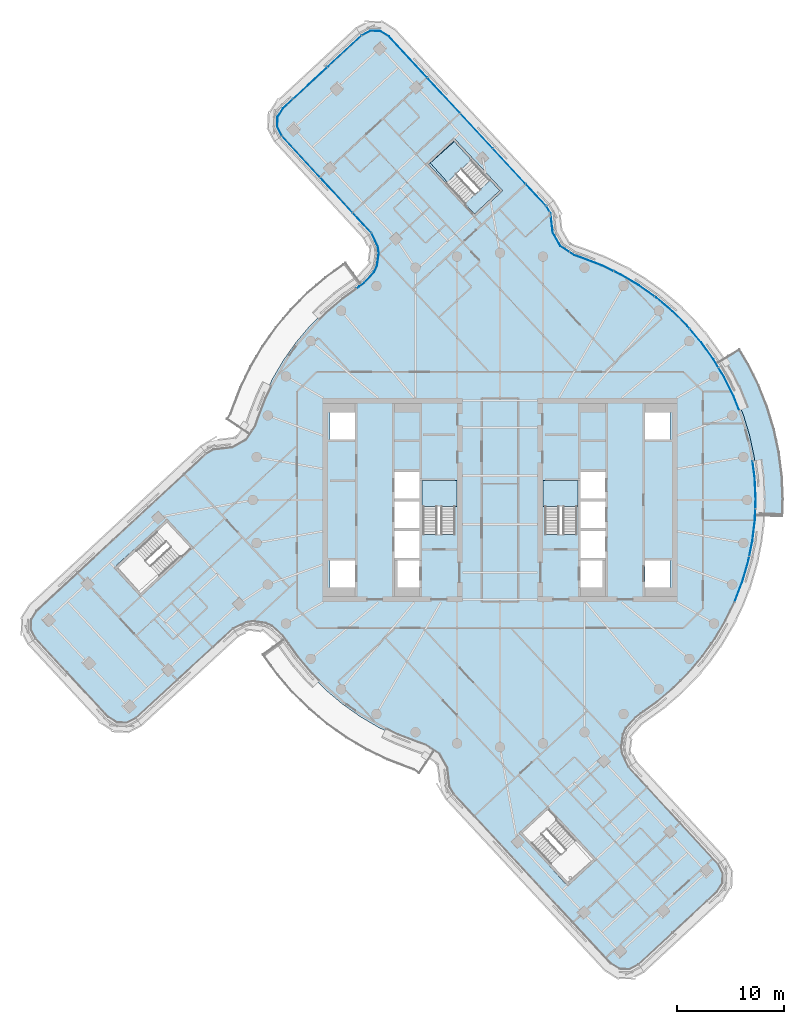
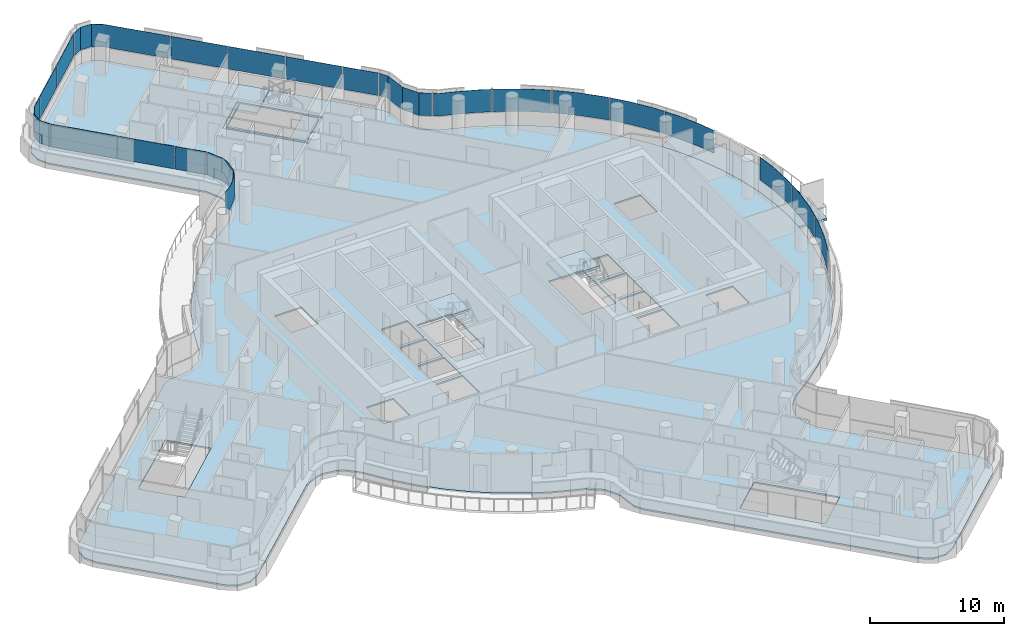
# One storey, part 19 of 34: 21 plates, 6 slabs, 8 elements without a shape of their own.
"""IFC4 building model written with IfcOpenShell, lengths in metres."""

from ifc_helpers import new_model, si_unit, direction, frame, origin, place, context, subcontext, project, spatial, polyline, outline, extrude, material, layer, layer_set, type_object, element, aggregate, save


model = new_model("IFC4")

# Units and contexts
model_context = context("Model", 3, precision=1e-05, world=origin(), true_north=direction((0.0, 1.0)))
body_context = subcontext(model_context, "Body", "Model", "MODEL_VIEW")
ifc_project = project(units=[si_unit("LENGTHUNIT", "METRE"), si_unit("AREAUNIT", "SQUARE_METRE"), si_unit("VOLUMEUNIT", "CUBIC_METRE"), si_unit("PLANEANGLEUNIT", "RADIAN"), si_unit("MASSUNIT", "GRAM", prefix="KILO")], contexts=[model_context])

# Site, building, storey
site_placement = place(None, origin())
site = spatial("IfcSite", under=ifc_project, at=site_placement, CompositionType="ELEMENT")
building_placement = place(site_placement, origin())
building = spatial("IfcBuilding", under=site, at=building_placement, Name="Tamarind Cross Interchange Tower", CompositionType="ELEMENT")
storey_placement = place(building_placement, frame((0.0, 0.0, 189.699951171875)))
storey = spatial("IfcBuildingStorey", under=building, at=storey_placement, Name="L47", CompositionType="ELEMENT", Elevation=189.699951171875)

# Slabs
ifc_material_1 = material(Name="Precast concrete C40", Category="concrete")
ifc_layer_1 = layer(ifc_material_1, 0.199951171875)
ifc_layer_set_1 = layer_set([ifc_layer_1], Name="Precast concrete C40")
slab_type_1 = type_object("IfcSlabType", Name="Balcony slab", PredefinedType="BASESLAB", material=ifc_layer_set_1)
slab_1_placement = place(storey_placement, frame((0.0, 0.0, -0.199951171875)))
element("IfcSlab", 1, at=slab_1_placement, inside=storey, type_object=slab_type_1, Name="SLB-L47-BAL02", PredefinedType="BASESLAB", context=body_context, shape_type="SweptSolid", body=[
    extrude(outline(polyline([(23.939208984375, -1.41943359375), (23.995849609375, 0.103271484375), (23.9052734375, 2.08447265625), (23.6513671875, 4.051513671875), (23.236083984375, 5.99072265625), (22.662109375, 7.88916015625), (21.93310546875, 9.733642578125), (21.054443359375, 11.511474609375), (20.284912109375, 12.79052734375), (22.34130859375, 14.028076171875), (23.162109375, 12.663818359375), (24.128662109375, 10.7080078125), (24.9306640625, 8.6787109375), (25.56201171875, 6.59033203125), (26.01904296875, 4.45703125), (26.298095703125, 2.293212890625), (26.397705078125, 0.113525390625), (26.337646484375, -1.50830078125), (23.939208984375, -1.41943359375)])), origin(), (0.0, 0.0, 1.0), 0.199951171875),
])
ifc_material_2 = material(Name="Concrete C35", Category="concrete")
ifc_layer_2 = layer(ifc_material_2, 0.139892578125)
ifc_layer_set_2 = layer_set([ifc_layer_2], Name="Concrete C35")
slab_type_2 = type_object("IfcSlabType", Name="Composite slab 140 Concrete C35", PredefinedType="FLOOR", material=ifc_layer_set_2)
slab_2_placement = place(storey_placement, frame((0.0, 0.0, -0.139892578125)))
element("IfcSlab", 2, at=slab_2_placement, inside=storey, type_object=slab_type_2, Name="Floor slab L47", PredefinedType="FLOOR", context=body_context, shape_type="SweptSolid", body=[
    extrude(outline(polyline([(-4.900390625, -26.74951171875), (-4.470703125, -27.4736328125), (10.18603515625, -43.28125), (11.0625, -43.832275390625), (12.096923828125, -43.871337890625), (13.012451171875, -43.387939453125), (20.345458984375, -36.5888671875), (20.896484375, -35.71240234375), (20.935546875, -34.677978515625), (20.4521484375, -33.762451171875), (12.136962890625, -24.73046875), (11.5673828125, -23.5537109375), (11.479736328125, -22.988525390625), (11.644287109375, -21.843505859375), (11.887939453125, -21.325927734375), (12.76611328125, -20.357421875), (13.2109375, -20.031982421875), (14.820068359375, -18.87255859375), (16.327880859375, -17.584228515625), (17.72412109375, -16.17578125), (18.99951171875, -14.656982421875), (20.14501953125, -13.0380859375), (21.15283203125, -11.329833984375), (22.01611328125, -9.54443359375), (22.72900390625, -7.693603515625), (23.286865234375, -5.79052734375), (23.685546875, -3.84765625), (23.92236328125, -1.878662109375), (23.99560546875, 0.103271484375), (23.9052734375, 2.08447265625), (23.651611328125, 4.051513671875), (23.236083984375, 5.99072265625), (22.662109375, 7.88916015625), (21.93310546875, 9.7333984375), (21.054443359375, 11.511474609375), (20.031982421875, 13.2109375), (18.87255859375, 14.820068359375), (17.584228515625, 16.327880859375), (16.17578125, 17.72412109375), (14.656982421875, 18.99951171875), (13.0380859375, 20.14501953125), (11.329833984375, 21.15283203125), (9.54443359375, 22.01611328125), (7.693603515625, 22.72900390625), (6.9873046875, 22.966796875), (5.76953125, 23.7822265625), (5.105712890625, 24.95751953125), (4.994140625, 25.912841796875), (4.900390625, 26.74951171875), (4.470703125, 27.4736328125), (-10.18603515625, 43.28125), (-11.0625, 43.832275390625), (-12.096923828125, 43.871337890625), (-13.012451171875, 43.387939453125), (-20.345458984375, 36.5888671875), (-20.896484375, 35.71240234375), (-20.935546875, 34.677978515625), (-20.4521484375, 33.762451171875), (-12.136962890625, 24.73046875), (-11.5673828125, 23.5537109375), (-11.479736328125, 22.988525390625), (-11.644287109375, 21.843505859375), (-11.887939453125, 21.325927734375), (-12.76611328125, 20.357421875), (-13.2109375, 20.031982421875), (-14.820068359375, 18.87255859375), (-16.327880859375, 17.584228515625), (-17.72412109375, 16.17578125), (-18.99951171875, 14.656982421875), (-20.14501953125, 13.0380859375), (-21.15283203125, 11.329833984375), (-22.01611328125, 9.54443359375), (-22.72900390625, 7.693603515625), (-22.966796875, 6.9873046875), (-23.7822265625, 5.76953125), (-24.95751953125, 5.105712890625), (-25.912841796875, 4.994140625), (-26.74951171875, 4.900390625), (-27.4736328125, 4.470703125), (-43.28125, -10.18603515625), (-43.832275390625, -11.0625), (-43.871337890625, -12.096923828125), (-43.387939453125, -13.012451171875), (-36.5888671875, -20.345458984375), (-35.71240234375, -20.896484375), (-34.677978515625, -20.935546875), (-33.762451171875, -20.4521484375), (-24.73046875, -12.136962890625), (-23.5537109375, -11.5673828125), (-22.988525390625, -11.479736328125), (-21.843505859375, -11.644287109375), (-21.325927734375, -11.887939453125), (-20.357421875, -12.76611328125), (-20.031982421875, -13.2109375), (-18.87255859375, -14.820068359375), (-17.584228515625, -16.327880859375), (-16.17578125, -17.72412109375), (-14.656982421875, -18.99951171875), (-13.0380859375, -20.14501953125), (-11.329833984375, -21.15283203125), (-9.54443359375, -22.01611328125), (-7.693603515625, -22.72900390625), (-6.9873046875, -22.966796875), (-5.76953125, -23.7822265625), (-5.105712890625, -24.95751953125), (-4.994140625, -25.912841796875), (-4.900390625, -26.74951171875)]), holes=[polyline([(-33.448486328125, -8.978759765625), (-33.584716796875, -8.83203125), (-35.760498046875, -6.485595703125), (-35.896240234375, -6.3388671875), (-35.687255859375, -6.14501953125), (-35.727294921875, -6.100341796875), (-33.2744140625, -3.907958984375), (-30.9833984375, -1.783447265625), (-30.847412109375, -1.93017578125), (-28.671630859375, -4.276611328125), (-28.53564453125, -4.42333984375), (-33.448486328125, -8.978759765625)]), polyline([(-13.5, -8.125), (-15.800048828125, -8.125), (-15.800048828125, -5.625), (-13.5, -5.625), (-13.5, -8.125)]), polyline([(-7.5, -8.125), (-9.800048828125, -8.125), (-9.800048828125, -5.625), (-7.5, -5.625), (-7.5, -8.125)]), polyline([(-7.5, -5.375), (-9.800048828125, -5.375), (-9.800048828125, -2.875), (-7.5, -2.875), (-7.5, -5.375)]), polyline([(-7.5, -2.625), (-9.800048828125, -2.625), (-9.800048828125, -0.125), (-7.5, -0.125), (-7.5, -2.625)]), polyline([(-4.199951171875, 1.800048828125), (-4.199951171875, -3.18798828125), (-7.14990234375, -3.18798828125), (-7.14990234375, 1.800048828125), (-4.199951171875, 1.800048828125)]), polyline([(-7.5, 0.125), (-9.800048828125, 0.125), (-9.800048828125, 2.625), (-7.5, 2.625), (-7.5, 0.125)]), polyline([(-13.5, 5.625), (-15.800048828125, 5.625), (-15.800048828125, 8.125), (-13.5, 8.125), (-13.5, 5.625)]), polyline([(-6.93896484375, 31.248779296875), (-6.79248046875, 31.384765625), (-4.44580078125, 33.560546875), (-4.29931640625, 33.696533203125), (-4.10498046875, 33.487060546875), (-4.10107421875, 33.490478515625), (-3.907958984375, 33.2744140625), (0.256103515625, 28.783447265625), (0.109619140625, 28.6474609375), (-2.237060546875, 26.4716796875), (-2.383544921875, 26.335693359375), (-6.93896484375, 31.248779296875)]), polyline([(1.783447265625, -30.9833984375), (1.93017578125, -30.847412109375), (4.276611328125, -28.671630859375), (4.42333984375, -28.53564453125), (8.978759765625, -33.448486328125), (8.83203125, -33.584716796875), (6.485595703125, -35.760498046875), (6.3388671875, -35.896240234375), (6.14501953125, -35.687255859375), (6.100341796875, -35.727294921875), (3.907958984375, -33.2744140625), (1.783447265625, -30.9833984375)]), polyline([(7.5, -5.625), (9.800048828125, -5.625), (9.800048828125, -8.125), (7.5, -8.125), (7.5, -5.625)]), polyline([(13.5, -5.625), (15.800048828125, -5.625), (15.800048828125, -8.125), (13.5, -8.125), (13.5, -5.625)]), polyline([(7.5, -2.875), (9.800048828125, -2.875), (9.800048828125, -5.375), (7.5, -5.375), (7.5, -2.875)]), polyline([(7.5, -0.125), (9.800048828125, -0.125), (9.800048828125, -2.625), (7.5, -2.625), (7.5, -0.125)]), polyline([(7.14990234375, 1.800048828125), (7.14990234375, -3.18798828125), (4.199951171875, -3.18798828125), (4.199951171875, 1.800048828125), (7.14990234375, 1.800048828125)]), polyline([(7.5, 2.625), (9.800048828125, 2.625), (9.800048828125, 0.125), (7.5, 0.125), (7.5, 2.625)]), polyline([(13.5, 8.125), (15.800048828125, 8.125), (15.800048828125, 5.625), (13.5, 5.625), (13.5, 8.125)])]), origin(), (0.0, 0.0, 1.0), 0.139892578125),
])
slab_3_placement = place(storey_placement, frame((0.0, 0.0, -0.139892578125)))
element("IfcSlab", 3, at=slab_3_placement, inside=storey, type_object=slab_type_2, Name="Floor slab L47", PredefinedType="FLOOR", context=body_context, shape_type="SweptSolid", body=[
    extrude(outline(polyline([(-4.309814453125, 33.413818359375), (-6.656494140625, 31.238037109375), (-2.373046875, 26.618408203125), (-0.0263671875, 28.794189453125), (-0.91845703125, 29.756103515625), (-3.180419921875, 27.658935546875), (-6.48681640625, 31.35791015625), (-4.254150390625, 33.353759765625), (-4.309814453125, 33.413818359375)])), origin(), (0.0, 0.0, 1.0), 0.139892578125),
])

# Stair, slab
ifc_material_3 = material(Name="Exit stair")
stair_type = type_object("IfcStairType", Name="Exit stair", PredefinedType="HALF_TURN_STAIR", material=ifc_material_3)
stair_1_placement = place(storey_placement, origin())
stair_1 = element("IfcStair", 4, at=stair_1_placement, inside=storey, type_object=stair_type, Name="L47 exit stair ST1", PredefinedType="HALF_TURN_STAIR")
ifc_material_4 = material(Name="Concrete C40", Category="concrete")
ifc_layer_3 = layer(ifc_material_4, 0.199951171875)
ifc_layer_set_3 = layer_set([ifc_layer_3], Name="Concrete C40")
slab_type_3 = type_object("IfcSlabType", Name="Stair landing", PredefinedType="LANDING", material=ifc_layer_set_3)
slab_4_placement = place(storey_placement, frame((0.0, 0.0, 1.60009765625)))
slab_4 = element("IfcSlab", 5, at=slab_4_placement, type_object=slab_type_3, Name="ST1 landing 1", PredefinedType="LANDING", context=body_context, shape_type="SweptSolid", body=[
    extrude(outline(polyline([(-4.0, -0.60009765625), (-4.0, 1.800048828125), (-7.25, 1.800048828125), (-7.25, -0.60009765625), (-4.0, -0.60009765625)])), origin(), (0.0, 0.0, 1.0), 0.199951171875),
])
aggregate(stair_1, [slab_4])

stair_2_placement = place(storey_placement, origin())
stair_2 = element("IfcStair", 6, at=stair_2_placement, inside=storey, type_object=stair_type, Name="L47 exit stair ST2", PredefinedType="HALF_TURN_STAIR")
slab_5_placement = place(storey_placement, frame((0.0, 0.0, 1.60009765625)))
slab_5 = element("IfcSlab", 7, at=slab_5_placement, type_object=slab_type_3, Name="ST2 landing 1", PredefinedType="LANDING", context=body_context, shape_type="SweptSolid", body=[
    extrude(outline(polyline([(7.25, -0.60009765625), (7.25, 1.800048828125), (4.0, 1.800048828125), (4.0, -0.60009765625), (7.25, -0.60009765625)])), origin(), (0.0, 0.0, 1.0), 0.199951171875),
])
aggregate(stair_2, [slab_5])

stair_3_placement = place(storey_placement, origin())
stair_3 = element("IfcStair", 8, at=stair_3_placement, inside=storey, type_object=stair_type, Name="L47 exit stair ST4", PredefinedType="HALF_TURN_STAIR")
slab_6_placement = place(storey_placement, frame((0.0, 0.0, 1.60009765625)))
slab_6 = element("IfcSlab", 9, at=slab_6_placement, type_object=slab_type_3, Name="ST4 landing 1", PredefinedType="LANDING", context=body_context, shape_type="SweptSolid", body=[
    extrude(outline(polyline([(-2.669921875, 31.64501953125), (-4.309814453125, 33.413818359375), (-6.656494140625, 31.238037109375), (-5.016357421875, 29.469482421875), (-2.669921875, 31.64501953125)])), origin(), (0.0, 0.0, 1.0), 0.199951171875),
])
aggregate(stair_3, [slab_6])

# Curtain wall, plates
ifc_material_5 = material(Name="Aluminium 6063-T6", Category="aluminium")
ifc_layer_4 = layer(ifc_material_5, 0.139892578125)
ifc_layer_set_4 = layer_set([ifc_layer_4], Name="Aluminium 6063-T6")
curtain_wall_type = type_object("IfcCurtainWallType", Name="Hotel curtain wall, 4.5 m bays", PredefinedType="NOTDEFINED", material=ifc_layer_set_4)
curtain_wall_1_placement = place(storey_placement, origin())
curtain_wall_1 = element("IfcCurtainWall", 10, at=curtain_wall_1_placement, inside=storey, type_object=curtain_wall_type, Name="CWS-L47-02", PredefinedType="NOTDEFINED")
ifc_material_6 = material(Name="Laminated low-e glass 6+1.52+6", Category="glass")
ifc_layer_5 = layer(ifc_material_6, 0.02392578125)
ifc_layer_set_5 = layer_set([ifc_layer_5], Name="Laminated low-e glass 6+1.52+6")
plate_type = type_object("IfcPlateType", Name="Vision panel CW2", PredefinedType="CURTAIN_PANEL", material=ifc_layer_set_5)
plate_1_placement = place(storey_placement, frame((0.0, 0.0, 1.400146484375)))
plate_1 = element("IfcPlate", 11, at=plate_1_placement, type_object=plate_type, Name="CWP-L47-02-04", PredefinedType="CURTAIN_PANEL", context=body_context, shape_type="SweptSolid", body=[
    extrude(outline(polyline([(21.82373046875, -9.453857421875), (22.528076171875, -7.625732421875), (23.080810546875, -5.7392578125), (23.17724609375, -5.269287109375), (23.200927734375, -5.274169921875), (23.104248046875, -5.7451171875), (22.55078125, -7.63330078125), (21.84619140625, -9.46240234375), (21.82373046875, -9.453857421875)])), origin(), (0.0, 0.0, 1.0), 2.059814453125),
])
plate_2_placement = place(storey_placement, frame((0.0, 0.0, 1.400146484375)))
plate_2 = element("IfcPlate", 12, at=plate_2_placement, type_object=plate_type, Name="CWP-L47-02-05", PredefinedType="CURTAIN_PANEL", context=body_context, shape_type="SweptSolid", body=[
    extrude(outline(polyline([(23.189453125, -5.21044921875), (23.47607421875, -3.813720703125), (23.710693359375, -1.862060546875), (23.748291015625, -0.84912109375), (23.772216796875, -0.85009765625), (23.734619140625, -1.864013671875), (23.499755859375, -3.817626953125), (23.212890625, -5.21533203125), (23.189453125, -5.21044921875)])), origin(), (0.0, 0.0, 1.0), 2.059814453125),
])
plate_3_placement = place(storey_placement, frame((0.0, 0.0, 1.400146484375)))
plate_3 = element("IfcPlate", 13, at=plate_3_placement, type_object=plate_type, Name="CWP-L47-02-06", PredefinedType="CURTAIN_PANEL", context=body_context, shape_type="SweptSolid", body=[
    extrude(outline(polyline([(23.75048828125, -0.789306640625), (23.783447265625, 0.102294921875), (23.69384765625, 2.06591796875), (23.495849609375, 3.6005859375), (23.519775390625, 3.603515625), (23.7177734375, 2.068115234375), (23.8076171875, 0.1025390625), (23.7744140625, -0.7900390625), (23.75048828125, -0.789306640625)])), origin(), (0.0, 0.0, 1.0), 2.059814453125),
])
plate_4_placement = place(storey_placement, frame((0.0, 0.0, 1.400146484375)))
plate_4 = element("IfcPlate", 14, at=plate_4_placement, type_object=plate_type, Name="CWP-L47-02-08", PredefinedType="CURTAIN_PANEL", context=body_context, shape_type="SweptSolid", body=[
    extrude(outline(polyline([(22.24853515625, 8.358642578125), (21.7392578125, 9.6474609375), (20.868408203125, 11.40966796875), (20.324951171875, 12.312744140625), (20.345458984375, 12.324951171875), (20.889404296875, 11.421142578125), (21.76123046875, 9.6572265625), (22.270751953125, 8.367431640625), (22.24853515625, 8.358642578125)])), origin(), (0.0, 0.0, 1.0), 2.059814453125),
])
plate_5_placement = place(storey_placement, frame((0.0, 0.0, 1.400146484375)))
plate_5 = element("IfcPlate", 15, at=plate_5_placement, type_object=plate_type, Name="CWP-L47-02-09", PredefinedType="CURTAIN_PANEL", context=body_context, shape_type="SweptSolid", body=[
    extrude(outline(polyline([(20.2939453125, 12.364013671875), (19.854736328125, 13.093994140625), (18.705810546875, 14.68896484375), (17.674560546875, 15.89599609375), (17.692626953125, 15.91162109375), (18.724609375, 14.703857421875), (19.874755859375, 13.107177734375), (20.314697265625, 12.37646484375), (20.2939453125, 12.364013671875)])), origin(), (0.0, 0.0, 1.0), 2.059814453125),
])
plate_6_placement = place(storey_placement, frame((0.0, 0.0, 1.400146484375)))
plate_6 = element("IfcPlate", 16, at=plate_6_placement, type_object=plate_type, Name="CWP-L47-02-10", PredefinedType="CURTAIN_PANEL", context=body_context, shape_type="SweptSolid", body=[
    extrude(outline(polyline([(17.635498046875, 15.941650390625), (17.4287109375, 16.183349609375), (16.032958984375, 17.5673828125), (14.52734375, 18.83154296875), (14.40185546875, 18.92041015625), (14.41552734375, 18.93994140625), (14.5419921875, 18.850341796875), (16.049072265625, 17.585205078125), (17.4462890625, 16.19970703125), (17.65380859375, 15.95703125), (17.635498046875, 15.941650390625)])), origin(), (0.0, 0.0, 1.0), 2.059814453125),
])
plate_7_placement = place(storey_placement, frame((0.0, 0.0, 1.400146484375)))
plate_7 = element("IfcPlate", 17, at=plate_7_placement, type_object=plate_type, Name="CWP-L47-02-11", PredefinedType="CURTAIN_PANEL", context=body_context, shape_type="SweptSolid", body=[
    extrude(outline(polyline([(14.352783203125, 18.955078125), (12.922607421875, 19.966796875), (11.229736328125, 20.9658203125), (10.610595703125, 21.26513671875), (10.62109375, 21.28662109375), (11.240966796875, 20.98681640625), (12.935791015625, 19.987060546875), (14.36669921875, 18.974609375), (14.352783203125, 18.955078125)])), origin(), (0.0, 0.0, 1.0), 2.059814453125),
])
plate_8_placement = place(storey_placement, frame((0.0, 0.0, 1.400146484375)))
plate_8 = element("IfcPlate", 18, at=plate_8_placement, type_object=plate_type, Name="CWP-L47-02-12", PredefinedType="CURTAIN_PANEL", context=body_context, shape_type="SweptSolid", body=[
    extrude(outline(polyline([(10.556640625, 21.291259765625), (9.4599609375, 21.821533203125), (7.621826171875, 22.529541015625), (6.892822265625, 22.77490234375), (6.487060546875, 23.046630859375), (6.50048828125, 23.066650390625), (6.903564453125, 22.796630859375), (7.6298828125, 22.55224609375), (9.469482421875, 21.843505859375), (10.567138671875, 21.312744140625), (10.556640625, 21.291259765625)])), origin(), (0.0, 0.0, 1.0), 2.059814453125),
])
plate_9_placement = place(storey_placement, frame((0.0, 0.0, 1.400146484375)))
plate_9 = element("IfcPlate", 19, at=plate_9_placement, type_object=plate_type, Name="CWP-L47-02-13", PredefinedType="CURTAIN_PANEL", context=body_context, shape_type="SweptSolid", body=[
    extrude(outline(polyline([(6.437255859375, 23.080078125), (5.609619140625, 23.634033203125), (4.900146484375, 24.890380859375), (4.783447265625, 25.888671875), (4.69482421875, 26.6806640625), (4.314697265625, 27.3212890625), (4.33544921875, 27.33349609375), (4.71826171875, 26.6884765625), (4.807373046875, 25.891357421875), (4.923583984375, 24.89794921875), (5.627685546875, 23.65087890625), (6.45068359375, 23.099853515625), (6.437255859375, 23.080078125)])), origin(), (0.0, 0.0, 1.0), 2.059814453125),
])
aggregate(curtain_wall_1, [plate_1, plate_2, plate_3, plate_4, plate_5, plate_6, plate_7, plate_8, plate_9])

curtain_wall_2_placement = place(storey_placement, origin())
curtain_wall_2 = element("IfcCurtainWall", 20, at=curtain_wall_2_placement, inside=storey, type_object=curtain_wall_type, Name="CWS-L47-03", PredefinedType="NOTDEFINED")
plate_10_placement = place(storey_placement, frame((0.0, 0.0, 1.400146484375)))
plate_10 = element("IfcPlate", 21, at=plate_10_placement, type_object=plate_type, Name="CWP-L47-03-00", PredefinedType="CURTAIN_PANEL", context=body_context, shape_type="SweptSolid", body=[
    extrude(outline(polyline([(4.280517578125, 27.3671875), (2.404052734375, 29.390869140625), (2.421630859375, 29.406982421875), (4.298095703125, 27.38330078125), (4.280517578125, 27.3671875)])), origin(), (0.0, 0.0, 1.0), 2.059814453125),
])
plate_11_placement = place(storey_placement, frame((0.0, 0.0, 1.400146484375)))
plate_11 = element("IfcPlate", 22, at=plate_11_placement, type_object=plate_type, Name="CWP-L47-03-01", PredefinedType="CURTAIN_PANEL", context=body_context, shape_type="SweptSolid", body=[
    extrude(outline(polyline([(2.36328125, 29.434814453125), (-0.648681640625, 32.683349609375), (-0.631103515625, 32.69970703125), (2.380859375, 29.451171875), (2.36328125, 29.434814453125)])), origin(), (0.0, 0.0, 1.0), 2.059814453125),
])
plate_12_placement = place(storey_placement, frame((0.0, 0.0, 1.400146484375)))
plate_12 = element("IfcPlate", 23, at=plate_12_placement, type_object=plate_type, Name="CWP-L47-03-02", PredefinedType="CURTAIN_PANEL", context=body_context, shape_type="SweptSolid", body=[
    extrude(outline(polyline([(-0.689453125, 32.727294921875), (-3.70166015625, 35.975830078125), (-3.68408203125, 35.9921875), (-0.671875, 32.74365234375), (-0.689453125, 32.727294921875)])), origin(), (0.0, 0.0, 1.0), 2.059814453125),
])
plate_13_placement = place(storey_placement, frame((0.0, 0.0, 1.400146484375)))
plate_13 = element("IfcPlate", 24, at=plate_13_placement, type_object=plate_type, Name="CWP-L47-03-03", PredefinedType="CURTAIN_PANEL", context=body_context, shape_type="SweptSolid", body=[
    extrude(outline(polyline([(-3.742431640625, 36.019775390625), (-6.75439453125, 39.268310546875), (-6.73681640625, 39.28466796875), (-3.724853515625, 36.0361328125), (-3.742431640625, 36.019775390625)])), origin(), (0.0, 0.0, 1.0), 2.059814453125),
])
plate_14_placement = place(storey_placement, frame((0.0, 0.0, 1.400146484375)))
plate_14 = element("IfcPlate", 25, at=plate_14_placement, type_object=plate_type, Name="CWP-L47-03-04", PredefinedType="CURTAIN_PANEL", context=body_context, shape_type="SweptSolid", body=[
    extrude(outline(polyline([(-6.795166015625, 39.312255859375), (-10.322509765625, 43.11669921875), (-11.127197265625, 43.62255859375), (-12.048095703125, 43.657470703125), (-12.863525390625, 43.226806640625), (-12.874755859375, 43.248046875), (-12.0537109375, 43.681640625), (-11.119873046875, 43.646240234375), (-10.30712890625, 43.13525390625), (-6.777587890625, 39.32861328125), (-6.795166015625, 39.312255859375)])), origin(), (0.0, 0.0, 1.0), 2.059814453125),
])
aggregate(curtain_wall_2, [plate_10, plate_11, plate_12, plate_13, plate_14])

curtain_wall_3_placement = place(storey_placement, origin())
curtain_wall_3 = element("IfcCurtainWall", 26, at=curtain_wall_3_placement, inside=storey, type_object=curtain_wall_type, Name="CWS-L47-04", PredefinedType="NOTDEFINED")
plate_15_placement = place(storey_placement, frame((0.0, 0.0, 1.400146484375)))
plate_15 = element("IfcPlate", 27, at=plate_15_placement, type_object=plate_type, Name="CWP-L47-04-00", PredefinedType="CURTAIN_PANEL", context=body_context, shape_type="SweptSolid", body=[
    extrude(outline(polyline([(-12.90966796875, 43.194091796875), (-16.05224609375, 40.2802734375), (-16.068603515625, 40.2978515625), (-12.926025390625, 43.2119140625), (-12.90966796875, 43.194091796875)])), origin(), (0.0, 0.0, 1.0), 2.059814453125),
])
plate_16_placement = place(storey_placement, frame((0.0, 0.0, 1.400146484375)))
plate_16 = element("IfcPlate", 28, at=plate_16_placement, type_object=plate_type, Name="CWP-L47-04-01", PredefinedType="CURTAIN_PANEL", context=body_context, shape_type="SweptSolid", body=[
    extrude(outline(polyline([(-16.09619140625, 40.239501953125), (-19.23876953125, 37.32568359375), (-19.255126953125, 37.34326171875), (-16.112548828125, 40.257080078125), (-16.09619140625, 40.239501953125)])), origin(), (0.0, 0.0, 1.0), 2.059814453125),
])
plate_17_placement = place(storey_placement, frame((0.0, 0.0, 1.400146484375)))
plate_17 = element("IfcPlate", 29, at=plate_17_placement, type_object=plate_type, Name="CWP-L47-04-02", PredefinedType="CURTAIN_PANEL", context=body_context, shape_type="SweptSolid", body=[
    extrude(outline(polyline([(-19.28271484375, 37.284912109375), (-20.1806640625, 36.452392578125), (-20.686767578125, 35.647705078125), (-20.7216796875, 34.7265625), (-20.290771484375, 33.910888671875), (-20.31201171875, 33.899658203125), (-20.745849609375, 34.72119140625), (-20.71044921875, 35.655029296875), (-20.199462890625, 36.4677734375), (-19.299072265625, 37.302490234375), (-19.28271484375, 37.284912109375)])), origin(), (0.0, 0.0, 1.0), 2.059814453125),
])
aggregate(curtain_wall_3, [plate_15, plate_16, plate_17])

curtain_wall_4_placement = place(storey_placement, origin())
curtain_wall_4 = element("IfcCurtainWall", 30, at=curtain_wall_4_placement, inside=storey, type_object=curtain_wall_type, Name="CWS-L47-05", PredefinedType="NOTDEFINED")
plate_18_placement = place(storey_placement, frame((0.0, 0.0, 1.400146484375)))
plate_18 = element("IfcPlate", 31, at=plate_18_placement, type_object=plate_type, Name="CWP-L47-05-00", PredefinedType="CURTAIN_PANEL", context=body_context, shape_type="SweptSolid", body=[
    extrude(outline(polyline([(-20.25830078125, 33.86474609375), (-16.7548828125, 30.0595703125), (-16.7724609375, 30.043212890625), (-20.27587890625, 33.8486328125), (-20.25830078125, 33.86474609375)])), origin(), (0.0, 0.0, 1.0), 2.059814453125),
])
plate_19_placement = place(storey_placement, frame((0.0, 0.0, 1.400146484375)))
plate_19 = element("IfcPlate", 32, at=plate_19_placement, type_object=plate_type, Name="CWP-L47-05-01", PredefinedType="CURTAIN_PANEL", context=body_context, shape_type="SweptSolid", body=[
    extrude(outline(polyline([(-16.71435546875, 30.015380859375), (-13.7060546875, 26.747802734375), (-13.723876953125, 26.731689453125), (-16.73193359375, 29.9990234375), (-16.71435546875, 30.015380859375)])), origin(), (0.0, 0.0, 1.0), 2.059814453125),
])
plate_20_placement = place(storey_placement, frame((0.0, 0.0, 1.400146484375)))
plate_20 = element("IfcPlate", 33, at=plate_20_placement, type_object=plate_type, Name="CWP-L47-05-02", PredefinedType="CURTAIN_PANEL", context=body_context, shape_type="SweptSolid", body=[
    extrude(outline(polyline([(-13.66552734375, 26.703857421875), (-11.981201171875, 24.874267578125), (-11.9990234375, 24.858154296875), (-13.68310546875, 26.6875), (-13.66552734375, 26.703857421875)])), origin(), (0.0, 0.0, 1.0), 2.059814453125),
])
aggregate(curtain_wall_4, [plate_18, plate_19, plate_20])

# Curtain wall, plate
curtain_wall_5_placement = place(storey_placement, origin())
curtain_wall_5 = element("IfcCurtainWall", 34, at=curtain_wall_5_placement, inside=storey, type_object=curtain_wall_type, Name="CWS-L47-06", PredefinedType="NOTDEFINED")
plate_21_placement = place(storey_placement, frame((0.0, 0.0, 1.400146484375)))
plate_21 = element("IfcPlate", 35, at=plate_21_placement, type_object=plate_type, Name="CWP-L47-06-00", PredefinedType="CURTAIN_PANEL", context=body_context, shape_type="SweptSolid", body=[
    extrude(outline(polyline([(-11.946044921875, 24.822509765625), (-11.36279296875, 23.61767578125), (-11.265380859375, 22.98974609375), (-11.439208984375, 21.781982421875), (-11.70947265625, 21.20703125), (-12.62353515625, 20.19921875), (-13.086181640625, 19.8603515625), (-13.34130859375, 19.676513671875), (-13.35546875, 19.696044921875), (-13.100341796875, 19.8798828125), (-12.6396484375, 20.217041015625), (-11.729736328125, 21.220458984375), (-11.46240234375, 21.788818359375), (-11.28955078125, 22.98974609375), (-11.385986328125, 23.6103515625), (-11.967529296875, 24.81201171875), (-11.946044921875, 24.822509765625)])), origin(), (0.0, 0.0, 1.0), 2.059814453125),
])
aggregate(curtain_wall_5, [plate_21])

save(model, "model.ifc")
